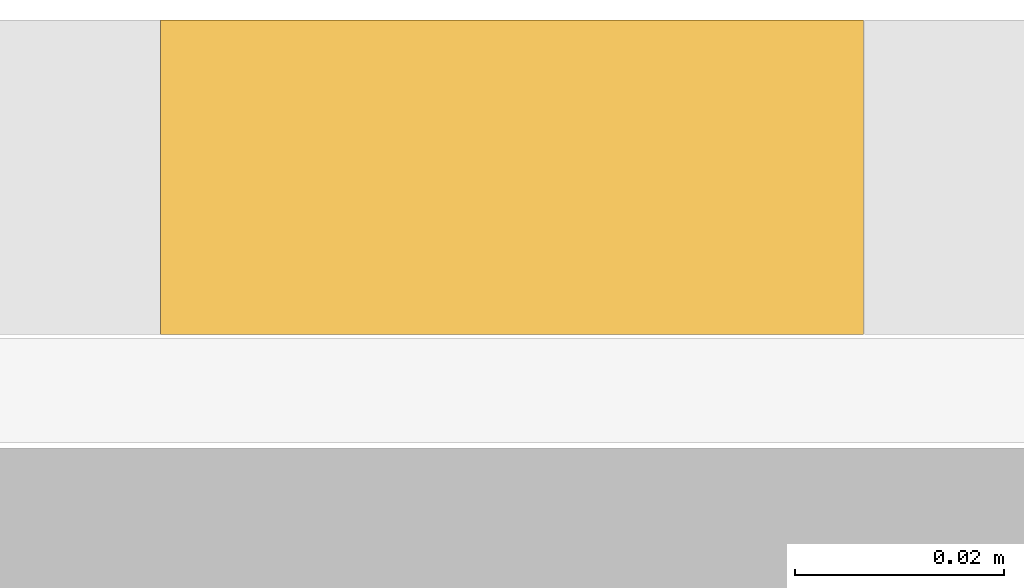
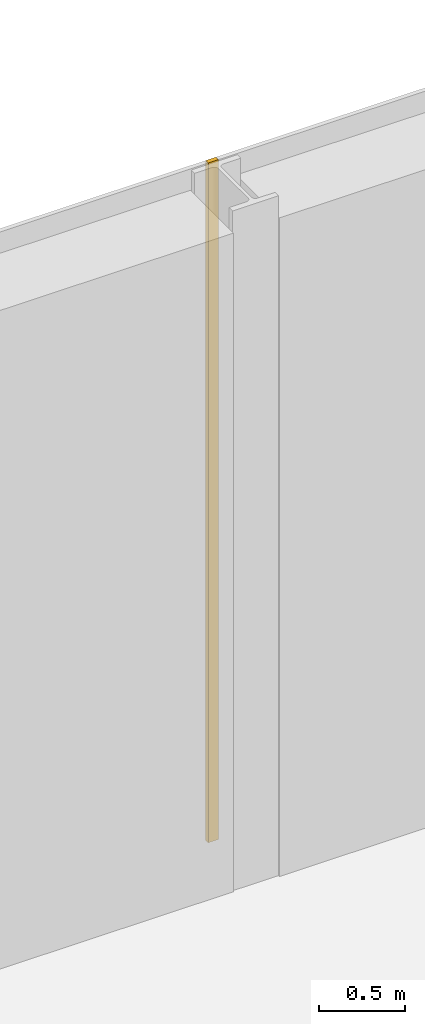
# One storey, part 51 of 57: 1 covering.
"""IFC4 building model written with IfcOpenShell, lengths in metres."""

import ifcopenshell
import ifcopenshell.guid

model = None  # the IFC model being written
_history = None  # IfcOwnerHistory: only IFC2X3 demands one
_inside = {}  # id of a spatial element -> (the spatial element, [elements in it])
_under = {}  # id of a project, library or spatial element -> (it, [spatial elements below it])
_declared = {}  # id of a project -> (the project, [libraries it declares])
_typed = {}  # id of a type object -> (the type object, [elements of that type])
_made_of = {}  # id of a material, layer set ... -> (it, [elements and type objects made of it])


def new_model(schema):
    """Start an empty IFC model of exactly this schema.

    Asked for "IFC4X3", IfcOpenShell would pick the latest addendum, in which some entities
    have other attributes; the version numbers below select the first issue.
    IFC2X3 requires an IfcOwnerHistory on every rooted entity: one is made here for all.
    """
    global model, _history
    if schema == "IFC4X3":
        model = ifcopenshell.file(schema_version=(4, 3, 0, 0))
    else:
        model = ifcopenshell.file(schema=schema)
    _inside.clear()
    _under.clear()
    _declared.clear()
    _typed.clear()
    _made_of.clear()
    _history = None
    if model.schema == "IFC2X3":
        org = make("IfcOrganization", Name="unknown")
        user = make(
            "IfcPersonAndOrganization",
            ThePerson=make("IfcPerson", FamilyName="unknown"),
            TheOrganization=org,
        )
        app = make(
            "IfcApplication",
            ApplicationDeveloper=org,
            Version="unknown",
            ApplicationFullName="unknown",
            ApplicationIdentifier="unknown",
        )
        _history = make(
            "IfcOwnerHistory",
            OwningUser=user,
            OwningApplication=app,
            ChangeAction="ADDED",
            CreationDate=0,
        )
    return model


def make(cls, **values):
    """One entity of the class cls with the attributes given. An attribute that is None is left unset."""
    return model.create_entity(
        cls, **{name: value for name, value in values.items() if value is not None}
    )


def rooted(cls, **values):
    """An entity with a GlobalId (a new one), such as an element, a storey or a relation."""
    return make(cls, GlobalId=ifcopenshell.guid.new(), OwnerHistory=_history, **values)


def si_unit(unit_type, name, prefix=None):
    """IfcSIUnit, for example si_unit("LENGTHUNIT", "METRE", prefix="MILLI")."""
    return make("IfcSIUnit", UnitType=unit_type, Prefix=prefix, Name=name)


def assignment(units):
    """IfcUnitAssignment: the units of a project."""
    return None if units is None else make("IfcUnitAssignment", Units=units)


def point(xyz):
    """IfcCartesianPoint."""
    return None if xyz is None else make("IfcCartesianPoint", Coordinates=xyz)


def direction(xyz):
    """IfcDirection."""
    return None if xyz is None else make("IfcDirection", DirectionRatios=xyz)


def frame(location, z_axis=None, x_axis=None):
    """IfcAxis2Placement3D, a coordinate frame: its origin and axes. An axis left out is left unset."""
    return make(
        "IfcAxis2Placement3D",
        Location=point(location),
        Axis=direction(z_axis),
        RefDirection=direction(x_axis),
    )


def frame_2d(location, x_axis=None):
    """IfcAxis2Placement2D, a coordinate frame in the plane: its origin and x axis."""
    return make(
        "IfcAxis2Placement2D", Location=point(location), RefDirection=direction(x_axis)
    )


def origin():
    """The frame at (0, 0, 0) with its axes left unset."""
    return frame((0.0, 0.0, 0.0))


def origin_2d():
    """The frame at (0, 0) in the plane with its x axis left unset."""
    return frame_2d((0.0, 0.0))


def place(relative_to, where):
    """IfcLocalPlacement: puts the frame where relative to a parent placement (None: the world)."""
    return make(
        "IfcLocalPlacement", PlacementRelTo=relative_to, RelativePlacement=where
    )


def context(
    kind, dimensions, precision=None, world=None, true_north=None, identifier=None
):
    """IfcGeometricRepresentationContext, for example the 3D "Model" context."""
    return make(
        "IfcGeometricRepresentationContext",
        ContextIdentifier=identifier,
        ContextType=kind,
        CoordinateSpaceDimension=dimensions,
        Precision=precision,
        WorldCoordinateSystem=world,
        TrueNorth=true_north,
    )


def subcontext(parent, identifier, kind, view, scale=None):
    """IfcGeometricRepresentationSubContext, for example "Body" below "Model"."""
    return make(
        "IfcGeometricRepresentationSubContext",
        ContextIdentifier=identifier,
        ContextType=kind,
        ParentContext=parent,
        TargetScale=scale,
        TargetView=view,
    )


def project(units=None, contexts=None):
    """IfcProject with its units and contexts."""
    return rooted(
        "IfcProject",
        Name="project",
        RepresentationContexts=contexts,
        UnitsInContext=assignment(units),
    )


def spatial(cls, under=None, at=None, **own):
    """A site, building, storey or space (cls), placed at a placement, below another one or the project."""
    s = rooted(cls, ObjectPlacement=at, **own)
    if under is not None:
        _under.setdefault(under.id(), (under, []))[1].append(s)
    return s


def profile(cls, at=None, kind="AREA", **sizes):
    """A parametric profile (cls). Its sizes go by their IFC names, for example OverallWidth=200.0."""
    return make(cls, ProfileType=kind, Position=at, **sizes)


def rectangle(**sizes):
    """IfcRectangleProfileDef."""
    return profile("IfcRectangleProfileDef", **sizes)


def extrude(swept, where, along, depth):
    """IfcExtrudedAreaSolid: the profile swept, set in the frame where, extruded along a direction by depth."""
    return make(
        "IfcExtrudedAreaSolid",
        SweptArea=swept,
        Position=where,
        ExtrudedDirection=direction(along),
        Depth=depth,
    )


def shape(context_of_items, identifier, shape_type, items):
    """IfcShapeRepresentation: the items that make up one representation, for example the "Body"."""
    return make(
        "IfcShapeRepresentation",
        ContextOfItems=context_of_items,
        RepresentationIdentifier=identifier,
        RepresentationType=shape_type,
        Items=items,
    )


def material(Name=None, Category=None):
    """IfcMaterial."""
    return make("IfcMaterial", Name=Name, Category=Category)


def layer(
    of_material, thickness, ventilated=None, Name=None, Category=None, Priority=None
):
    """IfcMaterialLayer: one layer of a wall or slab, of a material (None: an air gap)."""
    return make(
        "IfcMaterialLayer",
        Material=of_material,
        LayerThickness=thickness,
        IsVentilated=ventilated,
        Name=Name,
        Category=Category,
        Priority=Priority,
    )


def layer_set(layers, Name=None):
    """IfcMaterialLayerSet."""
    return make("IfcMaterialLayerSet", MaterialLayers=layers, LayerSetName=Name)


def made_of(thing, what):
    """Note that an element or type object is made of a material, layer set ...; save() writes the relation."""
    if what is not None:
        _made_of.setdefault(what.id(), (what, []))[1].append(thing)
    return thing


def type_object(cls, material=None, **own):
    """A type object (cls), such as IfcWallType, which elements share."""
    return made_of(rooted(cls, **own), material)


def element(
    cls,
    number,
    at=None,
    inside=None,
    cuts=None,
    type_object=None,
    material=None,
    context=None,
    identifier="Body",
    shape_type=None,
    held_by="IfcProductDefinitionShape",
    body=None,
    shapes=None,
    **own,
):
    """One element of the class cls, such as IfcWall. Its Tag is "e" and its number.

    at: its placement. inside: the storey or other place that contains it. cuts: it is an
    opening in that element (IfcRelVoidsElement). A single representation is given by context,
    identifier, shape_type and body (its items); several are given by shapes. held_by: the class
    of the entity that holds the representations. save() writes the other relations.
    """
    e = rooted(cls, Tag="e%d" % number, ObjectPlacement=at, **own)
    if body is not None:
        shapes = [shape(context, identifier, shape_type, body)]
    if shapes is not None:
        e.Representation = make(held_by, Representations=shapes)
    if inside is not None:
        _inside.setdefault(inside.id(), (inside, []))[1].append(e)
    if cuts is not None:
        rooted(
            "IfcRelVoidsElement", RelatingBuildingElement=cuts, RelatedOpeningElement=e
        )
    if type_object is not None:
        _typed.setdefault(type_object.id(), (type_object, []))[1].append(e)
    return made_of(e, material)


def aggregate(whole, parts):
    """IfcRelAggregates: a whole, such as a stair, and the parts it consists of."""
    return rooted("IfcRelAggregates", RelatingObject=whole, RelatedObjects=parts)


def save(model, path):
    """Write the relations noted so far, then the file.

    IfcRelAggregates (storeys below a building ...), IfcRelContainedInSpatialStructure (elements
    in a storey), IfcRelDefinesByType, IfcRelAssociatesMaterial and IfcRelDeclares: one each for
    every whole, place, type object, material and project.
    """
    for whole, parts in _under.values():
        aggregate(whole, parts)
    for where, things in _inside.values():
        rooted(
            "IfcRelContainedInSpatialStructure",
            RelatedElements=things,
            RelatingStructure=where,
        )
    for kind, things in _typed.values():
        rooted("IfcRelDefinesByType", RelatedObjects=things, RelatingType=kind)
    for what, things in _made_of.values():
        rooted("IfcRelAssociatesMaterial", RelatedObjects=things, RelatingMaterial=what)
    for by, libraries in _declared.values():
        rooted("IfcRelDeclares", RelatingContext=by, RelatedDefinitions=libraries)
    model.write(path)


model = new_model("IFC4")

# Units and contexts
model_context = context("Model", 3, precision=1e-05, world=origin(), true_north=direction((0.0, 1.0)))
body_context = subcontext(model_context, "Body", "Model", "MODEL_VIEW")
ifc_project = project(units=[si_unit("LENGTHUNIT", "METRE"), si_unit("AREAUNIT", "SQUARE_METRE"), si_unit("VOLUMEUNIT", "CUBIC_METRE"), si_unit("PLANEANGLEUNIT", "RADIAN"), si_unit("MASSUNIT", "GRAM", prefix="KILO")], contexts=[model_context])

# Site, building, storey
site_placement = place(None, origin())
site = spatial("IfcSite", under=ifc_project, at=site_placement, CompositionType="ELEMENT")
building_placement = place(site_placement, origin())
building = spatial("IfcBuilding", under=site, at=building_placement, Name="Galleria Vessillo Department Store", CompositionType="ELEMENT")
storey_placement = place(building_placement, frame((0.0, 0.0, 21.0)))
storey = spatial("IfcBuildingStorey", under=building, at=storey_placement, Name="L04", CompositionType="ELEMENT", Elevation=21.0)

# Covering
ifc_material = material(Name="Lime plaster (intonaco) ochre")
ifc_layer = layer(ifc_material, 0.030029296875)
ifc_layer_set = layer_set([ifc_layer], Name="Lime plaster (intonaco) ochre")
covering_type = type_object("IfcCoveringType", Name="Lime plaster render 30 mm", PredefinedType="CLADDING", material=ifc_layer_set)
covering_placement = place(storey_placement, frame((92.39990234375, 63.264892578125, 0.0), z_axis=(0.0, 0.0, 1.0), x_axis=(1.0, 0.0, 0.0)))
element("IfcCovering", 1, at=covering_placement, inside=storey, type_object=covering_type, Name="Joint block Wall cladding S-PN-L04-07", PredefinedType="CLADDING", context=body_context, shape_type="SweptSolid", body=[
    extrude(rectangle(XDim=0.067138671875, YDim=0.030029296875, at=origin_2d()), origin(), (0.0, 0.0, 1.0), 4.800048828125),
])

save(model, "model.ifc")
